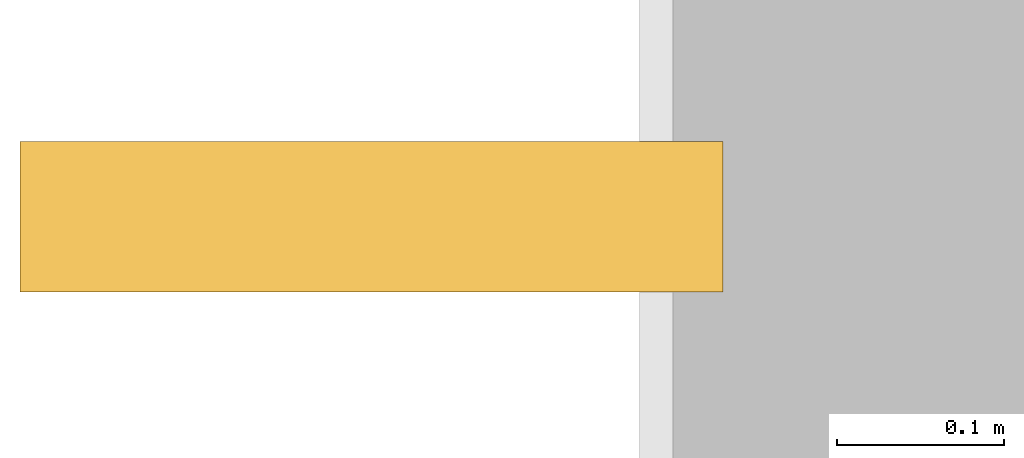
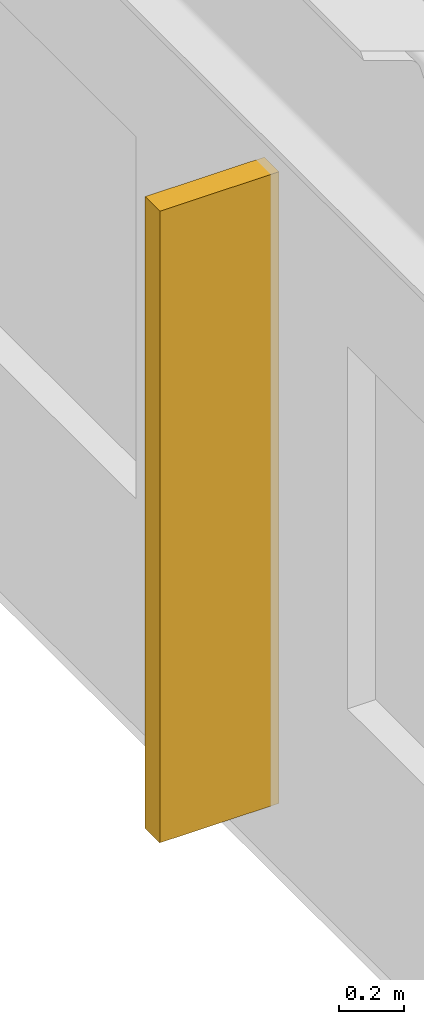
# One storey, part 38 of 38: 1 covering.
"""IFC4 building model written with IfcOpenShell, lengths in metres."""

from ifc_helpers import new_model, si_unit, direction, frame, origin, origin_2d, place, context, subcontext, project, spatial, rectangle, extrude, material, layer, layer_set, type_object, element, save


model = new_model("IFC4")

# Units and contexts
model_context = context("Model", 3, precision=1e-05, world=origin(), true_north=direction((0.0, 1.0)))
body_context = subcontext(model_context, "Body", "Model", "MODEL_VIEW")
ifc_project = project(units=[si_unit("LENGTHUNIT", "METRE"), si_unit("AREAUNIT", "SQUARE_METRE"), si_unit("VOLUMEUNIT", "CUBIC_METRE"), si_unit("PLANEANGLEUNIT", "RADIAN"), si_unit("MASSUNIT", "GRAM", prefix="KILO")], contexts=[model_context])

# Site, building, storey
site_placement = place(None, origin())
site = spatial("IfcSite", under=ifc_project, at=site_placement, CompositionType="ELEMENT")
building_placement = place(site_placement, origin())
building = spatial("IfcBuilding", under=site, at=building_placement, Name="Kazehara Bluff Congress Hotel", CompositionType="ELEMENT")
storey_placement = place(building_placement, frame((0.0, 0.0, 24.60009765625)))
storey = spatial("IfcBuildingStorey", under=building, at=storey_placement, Name="L05", CompositionType="ELEMENT", Elevation=24.60009765625)

# Covering
ifc_material = material(Name="Anodised aluminium architectural brise-soleil", Category="aluminium")
ifc_layer = layer(ifc_material, 0.090087890625)
ifc_layer_set = layer_set([ifc_layer], Name="Anodised aluminium architectural brise-soleil")
covering_type = type_object("IfcCoveringType", Name="TP-FFN-02", PredefinedType="CLADDING", material=ifc_layer_set)
covering_placement = place(storey_placement, frame((143.389892578125, 101.675048828125, 0.202392578125), z_axis=(0.0, 0.0, 1.0), x_axis=(1.0, 0.0, 0.0)))
element("IfcCovering", 1, at=covering_placement, inside=storey, type_object=covering_type, Name="L05 architectural vertical fin 50", PredefinedType="CLADDING", context=body_context, shape_type="SweptSolid", body=[
    extrude(rectangle(XDim=0.419921875, YDim=0.090087890625, at=origin_2d()), origin(), (0.0, 0.0, 1.0), 2.35498046875),
])

save(model, "model.ifc")
